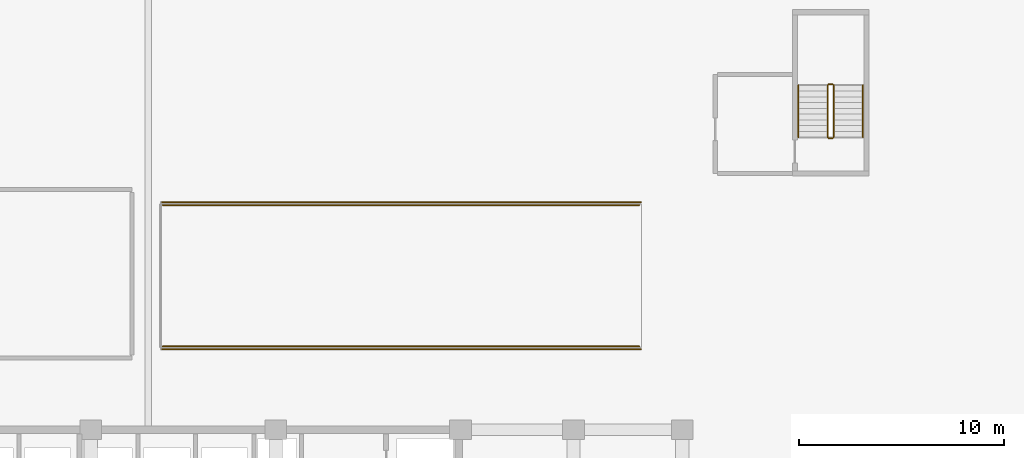
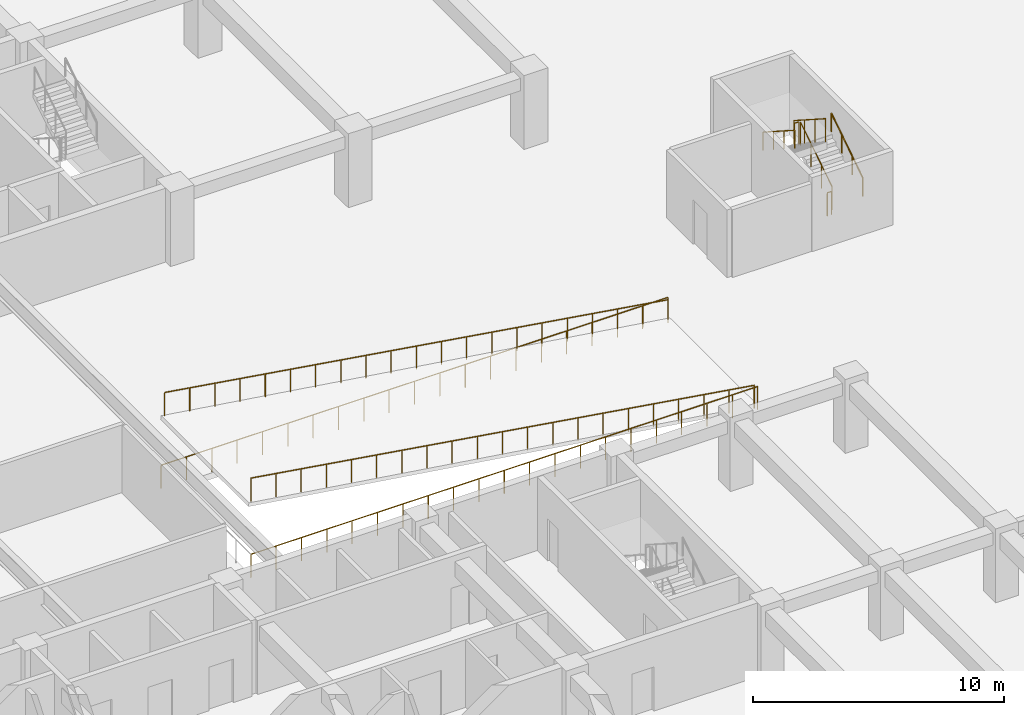
# One storey, part 21 of 22: 10 railings.
"""IFC4 building model written with IfcOpenShell, lengths in metres."""

from ifc_helpers import new_model, si_unit, direction, frame, origin, origin_2d, place, context, subcontext, project, spatial, circle, extrude, material, type_object, element, save


model = new_model("IFC4")

# Units and contexts
model_context = context("Model", 3, precision=1e-05, world=origin(), true_north=direction((0.0, 1.0)))
body_context = subcontext(model_context, "Body", "Model", "MODEL_VIEW")
ifc_project = project(units=[si_unit("LENGTHUNIT", "METRE"), si_unit("AREAUNIT", "SQUARE_METRE"), si_unit("VOLUMEUNIT", "CUBIC_METRE"), si_unit("PLANEANGLEUNIT", "RADIAN"), si_unit("MASSUNIT", "GRAM", prefix="KILO")], contexts=[model_context])

# Site, building, storey
site_placement = place(None, origin())
site = spatial("IfcSite", under=ifc_project, at=site_placement, CompositionType="ELEMENT")
building_placement = place(site_placement, origin())
building = spatial("IfcBuilding", under=site, at=building_placement, Name="Korimba Cascade Residences", CompositionType="ELEMENT")
storey_placement = place(building_placement, frame((0.0, 0.0, -7.199951171875)))
storey = spatial("IfcBuildingStorey", under=building, at=storey_placement, Name="B02", CompositionType="ELEMENT", Elevation=-7.199951171875)

# Railings
ifc_material_1 = material(Name="Painted Steel Stairwell Guardrail", Category="steel")
railing_type_1 = type_object("IfcRailingType", Name="RLG-ST-GD1150", PredefinedType="GUARDRAIL", material=ifc_material_1)
railing_1_placement = place(storey_placement, frame((136.27001953125, 44.64990234375, 0.179931640625)))
element("IfcRailing", 1, at=railing_1_placement, inside=storey, type_object=railing_type_1, Name="B02 ST-P2 stair guard 1", PredefinedType="GUARDRAIL", context=body_context, shape_type="SweptSolid", body=[
    extrude(circle(Radius=0.02392578125, at=origin_2d()), frame((0.0, 0.0, 1.1259765625), z_axis=(0.0, 0.841162588446, 0.540782303519), x_axis=(-1.0, 0.0, 0.0)), (0.0, 0.0, 1.0), 2.995849609375),
    extrude(circle(Radius=0.02099609375, at=origin_2d()), origin(), (0.0, 0.0, 1.0), 1.101806640625),
    extrude(circle(Radius=0.02099609375, at=origin_2d()), frame((0.0, 0.840087890625, 0.5400390625)), (0.0, 0.0, 1.0), 1.101806640625),
    extrude(circle(Radius=0.02099609375, at=origin_2d()), frame((0.0, 1.679931640625, 1.080078125)), (0.0, 0.0, 1.0), 1.101806640625),
    extrude(circle(Radius=0.02099609375, at=origin_2d()), frame((0.0, 2.52001953125, 1.6201171875)), (0.0, 0.0, 1.0), 1.101806640625),
])
railing_2_placement = place(storey_placement, frame((136.219970703125, 47.219970703125, 1.800048828125)))
element("IfcRailing", 2, at=railing_2_placement, inside=storey, type_object=railing_type_1, Name="B02 ST-P2 stair guard 2", PredefinedType="GUARDRAIL", context=body_context, shape_type="SweptSolid", body=[
    extrude(circle(Radius=0.02392578125, at=origin_2d()), frame((0.0, 0.0, 1.1259765625), z_axis=(-1.0, 0.0, 0.0), x_axis=(0.0, -1.0, 0.0)), (0.0, 0.0, 1.0), 0.199951171875),
    extrude(circle(Radius=0.02099609375, at=origin_2d()), origin(), (0.0, 0.0, 1.0), 1.101806640625),
    extrude(circle(Radius=0.02099609375, at=origin_2d()), frame((-0.199951171875, 0.0, 0.0)), (0.0, 0.0, 1.0), 1.101806640625),
])
railing_3_placement = place(storey_placement, frame((135.969970703125, 47.169921875, 1.97998046875)))
element("IfcRailing", 3, at=railing_3_placement, inside=storey, type_object=railing_type_1, Name="B02 ST-P2 stair guard 3", PredefinedType="GUARDRAIL", context=body_context, shape_type="SweptSolid", body=[
    extrude(circle(Radius=0.02392578125, at=origin_2d()), frame((0.0, 0.0, 1.1259765625), z_axis=(0.0, -0.841199657755, 0.540724639528), x_axis=(1.0, 0.0, 0.0)), (0.0, 0.0, 1.0), 2.995849609375),
    extrude(circle(Radius=0.02099609375, at=origin_2d()), origin(), (0.0, 0.0, 1.0), 1.101806640625),
    extrude(circle(Radius=0.02099609375, at=origin_2d()), frame((0.0, -0.840087890625, 0.5400390625)), (0.0, 0.0, 1.0), 1.101806640625),
    extrude(circle(Radius=0.02099609375, at=origin_2d()), frame((0.0, -1.679931640625, 1.079833984375)), (0.0, 0.0, 1.0), 1.101806640625),
    extrude(circle(Radius=0.02099609375, at=origin_2d()), frame((0.0, -2.52001953125, 1.619873046875)), (0.0, 0.0, 1.0), 1.101806640625),
])
railing_4_placement = place(storey_placement, frame((136.219970703125, 44.60009765625, 0.0)))
element("IfcRailing", 4, at=railing_4_placement, inside=storey, type_object=railing_type_1, Name="B02 ST-P2 stair guard 4", PredefinedType="GUARDRAIL", context=body_context, shape_type="SweptSolid", body=[
    extrude(circle(Radius=0.02392578125, at=origin_2d()), frame((0.0, 0.0, 1.1259765625), z_axis=(-1.0, 0.0, 0.0), x_axis=(0.0, -1.0, 0.0)), (0.0, 0.0, 1.0), 0.199951171875),
    extrude(circle(Radius=0.02099609375, at=origin_2d()), origin(), (0.0, 0.0, 1.0), 1.101806640625),
    extrude(circle(Radius=0.02099609375, at=origin_2d()), frame((-0.199951171875, 0.0, 0.0)), (0.0, 0.0, 1.0), 1.101806640625),
])
ifc_material_2 = material(Name="Brushed Stainless Steel Handrail", Category="steel")
railing_type_2 = type_object("IfcRailingType", Name="RLG-ST-HR900", PredefinedType="HANDRAIL", material=ifc_material_2)
railing_5_placement = place(storey_placement, frame((137.68994140625, 44.64990234375, 0.36376953125)))
element("IfcRailing", 5, at=railing_5_placement, inside=storey, type_object=railing_type_2, Name="B02 ST-P2 stair handrail 1", PredefinedType="HANDRAIL", context=body_context, shape_type="SweptSolid", body=[
    extrude(circle(Radius=0.02392578125, at=origin_2d()), frame((0.0, 0.0, 0.8759765625), z_axis=(0.0, 0.841199657755, 0.540724639528), x_axis=(-1.0, 0.0, 0.0)), (0.0, 0.0, 1.0), 2.995849609375),
    extrude(circle(Radius=0.02099609375, at=origin_2d()), origin(), (0.0, 0.0, 1.0), 0.851806640625),
    extrude(circle(Radius=0.02099609375, at=origin_2d()), frame((0.0, 0.840087890625, 0.5400390625)), (0.0, 0.0, 1.0), 0.851806640625),
    extrude(circle(Radius=0.02099609375, at=origin_2d()), frame((0.0, 1.679931640625, 1.079833984375)), (0.0, 0.0, 1.0), 0.851806640625),
    extrude(circle(Radius=0.02099609375, at=origin_2d()), frame((0.0, 2.52001953125, 1.619873046875)), (0.0, 0.0, 1.0), 0.851806640625),
])
railing_6_placement = place(storey_placement, frame((134.550048828125, 47.169921875, 2.163818359375)))
element("IfcRailing", 6, at=railing_6_placement, inside=storey, type_object=railing_type_2, Name="B02 ST-P2 stair handrail 2", PredefinedType="HANDRAIL", context=body_context, shape_type="SweptSolid", body=[
    extrude(circle(Radius=0.02392578125, at=origin_2d()), frame((0.0, 0.0, 0.8759765625), z_axis=(0.0, -0.841199657755, 0.540724639528), x_axis=(1.0, 0.0, 0.0)), (0.0, 0.0, 1.0), 2.995849609375),
    extrude(circle(Radius=0.02099609375, at=origin_2d()), origin(), (0.0, 0.0, 1.0), 0.851806640625),
    extrude(circle(Radius=0.02099609375, at=origin_2d()), frame((0.0, -0.840087890625, 0.5400390625)), (0.0, 0.0, 1.0), 0.851806640625),
    extrude(circle(Radius=0.02099609375, at=origin_2d()), frame((0.0, -1.679931640625, 1.079833984375)), (0.0, 0.0, 1.0), 0.851806640625),
    extrude(circle(Radius=0.02099609375, at=origin_2d()), frame((0.0, -2.52001953125, 1.619873046875)), (0.0, 0.0, 1.0), 0.851806640625),
])
ifc_material_3 = material(Name="Painted Galvanised Steel Terrace Guardrail", Category="steel")
railing_type_3 = type_object("IfcRailingType", Name="RLG-TER-1150", PredefinedType="GUARDRAIL", material=ifc_material_3)
railing_7_placement = place(storey_placement, frame((103.52001953125, 34.320068359375, 0.0)))
element("IfcRailing", 7, at=railing_7_placement, inside=storey, type_object=railing_type_3, Name="B02 Ramp Well South Guardrail", PredefinedType="GUARDRAIL", context=body_context, shape_type="SweptSolid", body=[
    extrude(circle(Radius=0.02392578125, at=origin_2d()), frame((0.0, 0.0, 1.1259765625), z_axis=(1.0, 0.0, 0.0), x_axis=(0.0, 1.0, 0.0)), (0.0, 0.0, 1.0), 23.35986328125),
    extrude(circle(Radius=0.02099609375, at=origin_2d()), origin(), (0.0, 0.0, 1.0), 1.101806640625),
    extrude(circle(Radius=0.02099609375, at=origin_2d()), frame((1.16796875, 0.0, 0.0)), (0.0, 0.0, 1.0), 1.101806640625),
    extrude(circle(Radius=0.02099609375, at=origin_2d()), frame((2.3359375, 0.0, 0.0)), (0.0, 0.0, 1.0), 1.101806640625),
    extrude(circle(Radius=0.02099609375, at=origin_2d()), frame((3.50390625, 0.0, 0.0)), (0.0, 0.0, 1.0), 1.101806640625),
    extrude(circle(Radius=0.02099609375, at=origin_2d()), frame((4.671875, 0.0, 0.0)), (0.0, 0.0, 1.0), 1.101806640625),
    extrude(circle(Radius=0.02099609375, at=origin_2d()), frame((5.83984375, 0.0, 0.0)), (0.0, 0.0, 1.0), 1.101806640625),
    extrude(circle(Radius=0.02099609375, at=origin_2d()), frame((7.008056640625, 0.0, 0.0)), (0.0, 0.0, 1.0), 1.101806640625),
    extrude(circle(Radius=0.02099609375, at=origin_2d()), frame((8.176025390625, 0.0, 0.0)), (0.0, 0.0, 1.0), 1.101806640625),
    extrude(circle(Radius=0.02099609375, at=origin_2d()), frame((9.343994140625, 0.0, 0.0)), (0.0, 0.0, 1.0), 1.101806640625),
    extrude(circle(Radius=0.02099609375, at=origin_2d()), frame((10.511962890625, 0.0, 0.0)), (0.0, 0.0, 1.0), 1.101806640625),
    extrude(circle(Radius=0.02099609375, at=origin_2d()), frame((11.679931640625, 0.0, 0.0)), (0.0, 0.0, 1.0), 1.101806640625),
    extrude(circle(Radius=0.02099609375, at=origin_2d()), frame((12.847900390625, 0.0, 0.0)), (0.0, 0.0, 1.0), 1.101806640625),
    extrude(circle(Radius=0.02099609375, at=origin_2d()), frame((14.015869140625, 0.0, 0.0)), (0.0, 0.0, 1.0), 1.101806640625),
    extrude(circle(Radius=0.02099609375, at=origin_2d()), frame((15.183837890625, 0.0, 0.0)), (0.0, 0.0, 1.0), 1.101806640625),
    extrude(circle(Radius=0.02099609375, at=origin_2d()), frame((16.351806640625, 0.0, 0.0)), (0.0, 0.0, 1.0), 1.101806640625),
    extrude(circle(Radius=0.02099609375, at=origin_2d()), frame((17.52001953125, 0.0, 0.0)), (0.0, 0.0, 1.0), 1.101806640625),
    extrude(circle(Radius=0.02099609375, at=origin_2d()), frame((18.68798828125, 0.0, 0.0)), (0.0, 0.0, 1.0), 1.101806640625),
    extrude(circle(Radius=0.02099609375, at=origin_2d()), frame((19.85595703125, 0.0, 0.0)), (0.0, 0.0, 1.0), 1.101806640625),
    extrude(circle(Radius=0.02099609375, at=origin_2d()), frame((21.02392578125, 0.0, 0.0)), (0.0, 0.0, 1.0), 1.101806640625),
    extrude(circle(Radius=0.02099609375, at=origin_2d()), frame((22.19189453125, 0.0, 0.0)), (0.0, 0.0, 1.0), 1.101806640625),
    extrude(circle(Radius=0.02099609375, at=origin_2d()), frame((23.35986328125, 0.0, 0.0)), (0.0, 0.0, 1.0), 1.101806640625),
])
railing_8_placement = place(storey_placement, frame((103.52001953125, 41.47998046875, 0.0)))
element("IfcRailing", 8, at=railing_8_placement, inside=storey, type_object=railing_type_3, Name="B02 Ramp Well North Guardrail", PredefinedType="GUARDRAIL", context=body_context, shape_type="SweptSolid", body=[
    extrude(circle(Radius=0.02392578125, at=origin_2d()), frame((0.0, 0.0, 1.1259765625), z_axis=(1.0, 0.0, 0.0), x_axis=(0.0, 1.0, 0.0)), (0.0, 0.0, 1.0), 23.35986328125),
    extrude(circle(Radius=0.02099609375, at=origin_2d()), origin(), (0.0, 0.0, 1.0), 1.101806640625),
    extrude(circle(Radius=0.02099609375, at=origin_2d()), frame((1.16796875, 0.0, 0.0)), (0.0, 0.0, 1.0), 1.101806640625),
    extrude(circle(Radius=0.02099609375, at=origin_2d()), frame((2.3359375, 0.0, 0.0)), (0.0, 0.0, 1.0), 1.101806640625),
    extrude(circle(Radius=0.02099609375, at=origin_2d()), frame((3.50390625, 0.0, 0.0)), (0.0, 0.0, 1.0), 1.101806640625),
    extrude(circle(Radius=0.02099609375, at=origin_2d()), frame((4.671875, 0.0, 0.0)), (0.0, 0.0, 1.0), 1.101806640625),
    extrude(circle(Radius=0.02099609375, at=origin_2d()), frame((5.83984375, 0.0, 0.0)), (0.0, 0.0, 1.0), 1.101806640625),
    extrude(circle(Radius=0.02099609375, at=origin_2d()), frame((7.008056640625, 0.0, 0.0)), (0.0, 0.0, 1.0), 1.101806640625),
    extrude(circle(Radius=0.02099609375, at=origin_2d()), frame((8.176025390625, 0.0, 0.0)), (0.0, 0.0, 1.0), 1.101806640625),
    extrude(circle(Radius=0.02099609375, at=origin_2d()), frame((9.343994140625, 0.0, 0.0)), (0.0, 0.0, 1.0), 1.101806640625),
    extrude(circle(Radius=0.02099609375, at=origin_2d()), frame((10.511962890625, 0.0, 0.0)), (0.0, 0.0, 1.0), 1.101806640625),
    extrude(circle(Radius=0.02099609375, at=origin_2d()), frame((11.679931640625, 0.0, 0.0)), (0.0, 0.0, 1.0), 1.101806640625),
    extrude(circle(Radius=0.02099609375, at=origin_2d()), frame((12.847900390625, 0.0, 0.0)), (0.0, 0.0, 1.0), 1.101806640625),
    extrude(circle(Radius=0.02099609375, at=origin_2d()), frame((14.015869140625, 0.0, 0.0)), (0.0, 0.0, 1.0), 1.101806640625),
    extrude(circle(Radius=0.02099609375, at=origin_2d()), frame((15.183837890625, 0.0, 0.0)), (0.0, 0.0, 1.0), 1.101806640625),
    extrude(circle(Radius=0.02099609375, at=origin_2d()), frame((16.351806640625, 0.0, 0.0)), (0.0, 0.0, 1.0), 1.101806640625),
    extrude(circle(Radius=0.02099609375, at=origin_2d()), frame((17.52001953125, 0.0, 0.0)), (0.0, 0.0, 1.0), 1.101806640625),
    extrude(circle(Radius=0.02099609375, at=origin_2d()), frame((18.68798828125, 0.0, 0.0)), (0.0, 0.0, 1.0), 1.101806640625),
    extrude(circle(Radius=0.02099609375, at=origin_2d()), frame((19.85595703125, 0.0, 0.0)), (0.0, 0.0, 1.0), 1.101806640625),
    extrude(circle(Radius=0.02099609375, at=origin_2d()), frame((21.02392578125, 0.0, 0.0)), (0.0, 0.0, 1.0), 1.101806640625),
    extrude(circle(Radius=0.02099609375, at=origin_2d()), frame((22.19189453125, 0.0, 0.0)), (0.0, 0.0, 1.0), 1.101806640625),
    extrude(circle(Radius=0.02099609375, at=origin_2d()), frame((23.35986328125, 0.0, 0.0)), (0.0, 0.0, 1.0), 1.101806640625),
])
railing_9_placement = place(storey_placement, frame((103.60009765625, 34.4599609375, 3.599853515625)))
element("IfcRailing", 9, at=railing_9_placement, inside=storey, type_object=railing_type_3, Name="B02 Vehicle Ramp S Guardrail", PredefinedType="GUARDRAIL", context=body_context, shape_type="SweptSolid", body=[
    extrude(circle(Radius=0.02392578125, at=origin_2d()), frame((0.0, 0.0, 1.1259765625), z_axis=(0.98817479985, 0.0, -0.153331552336), x_axis=(0.0, 1.0, 0.0)), (0.0, 0.0, 1.0), 23.4775390625),
    extrude(circle(Radius=0.02099609375, at=origin_2d()), origin(), (0.0, 0.0, 1.0), 1.101806640625),
    extrude(circle(Radius=0.02099609375, at=origin_2d()), frame((1.159912109375, 0.0, -0.179931640625)), (0.0, 0.0, 1.0), 1.101806640625),
    extrude(circle(Radius=0.02099609375, at=origin_2d()), frame((2.320068359375, 0.0, -0.35986328125)), (0.0, 0.0, 1.0), 1.101806640625),
    extrude(circle(Radius=0.02099609375, at=origin_2d()), frame((3.47998046875, 0.0, -0.5400390625)), (0.0, 0.0, 1.0), 1.101806640625),
    extrude(circle(Radius=0.02099609375, at=origin_2d()), frame((4.639892578125, 0.0, -0.719970703125)), (0.0, 0.0, 1.0), 1.101806640625),
    extrude(circle(Radius=0.02099609375, at=origin_2d()), frame((5.800048828125, 0.0, -0.89990234375)), (0.0, 0.0, 1.0), 1.101806640625),
    extrude(circle(Radius=0.02099609375, at=origin_2d()), frame((6.9599609375, 0.0, -1.080078125)), (0.0, 0.0, 1.0), 1.101806640625),
    extrude(circle(Radius=0.02099609375, at=origin_2d()), frame((8.119873046875, 0.0, -1.260009765625)), (0.0, 0.0, 1.0), 1.101806640625),
    extrude(circle(Radius=0.02099609375, at=origin_2d()), frame((9.280029296875, 0.0, -1.43994140625)), (0.0, 0.0, 1.0), 1.101806640625),
    extrude(circle(Radius=0.02099609375, at=origin_2d()), frame((10.43994140625, 0.0, -1.619873046875)), (0.0, 0.0, 1.0), 1.101806640625),
    extrude(circle(Radius=0.02099609375, at=origin_2d()), frame((11.60009765625, 0.0, -1.7998046875)), (0.0, 0.0, 1.0), 1.101806640625),
    extrude(circle(Radius=0.02099609375, at=origin_2d()), frame((12.760009765625, 0.0, -1.97998046875)), (0.0, 0.0, 1.0), 1.101806640625),
    extrude(circle(Radius=0.02099609375, at=origin_2d()), frame((13.919921875, 0.0, -2.159912109375)), (0.0, 0.0, 1.0), 1.101806640625),
    extrude(circle(Radius=0.02099609375, at=origin_2d()), frame((15.080078125, 0.0, -2.33984375)), (0.0, 0.0, 1.0), 1.101806640625),
    extrude(circle(Radius=0.02099609375, at=origin_2d()), frame((16.239990234375, 0.0, -2.52001953125)), (0.0, 0.0, 1.0), 1.101806640625),
    extrude(circle(Radius=0.02099609375, at=origin_2d()), frame((17.39990234375, 0.0, -2.699951171875)), (0.0, 0.0, 1.0), 1.101806640625),
    extrude(circle(Radius=0.02099609375, at=origin_2d()), frame((18.56005859375, 0.0, -2.8798828125)), (0.0, 0.0, 1.0), 1.101806640625),
    extrude(circle(Radius=0.02099609375, at=origin_2d()), frame((19.719970703125, 0.0, -3.059814453125)), (0.0, 0.0, 1.0), 1.101806640625),
    extrude(circle(Radius=0.02099609375, at=origin_2d()), frame((20.8798828125, 0.0, -3.23974609375)), (0.0, 0.0, 1.0), 1.101806640625),
    extrude(circle(Radius=0.02099609375, at=origin_2d()), frame((22.0400390625, 0.0, -3.419921875)), (0.0, 0.0, 1.0), 1.101806640625),
    extrude(circle(Radius=0.02099609375, at=origin_2d()), frame((23.199951171875, 0.0, -3.599853515625)), (0.0, 0.0, 1.0), 1.101806640625),
])
railing_10_placement = place(storey_placement, frame((103.60009765625, 41.340087890625, 3.599853515625)))
element("IfcRailing", 10, at=railing_10_placement, inside=storey, type_object=railing_type_3, Name="B02 Vehicle Ramp N Guardrail", PredefinedType="GUARDRAIL", context=body_context, shape_type="SweptSolid", body=[
    extrude(circle(Radius=0.02392578125, at=origin_2d()), frame((0.0, 0.0, 1.1259765625), z_axis=(0.98817479985, 0.0, -0.153331552336), x_axis=(0.0, 1.0, 0.0)), (0.0, 0.0, 1.0), 23.4775390625),
    extrude(circle(Radius=0.02099609375, at=origin_2d()), origin(), (0.0, 0.0, 1.0), 1.101806640625),
    extrude(circle(Radius=0.02099609375, at=origin_2d()), frame((1.159912109375, 0.0, -0.179931640625)), (0.0, 0.0, 1.0), 1.101806640625),
    extrude(circle(Radius=0.02099609375, at=origin_2d()), frame((2.320068359375, 0.0, -0.35986328125)), (0.0, 0.0, 1.0), 1.101806640625),
    extrude(circle(Radius=0.02099609375, at=origin_2d()), frame((3.47998046875, 0.0, -0.5400390625)), (0.0, 0.0, 1.0), 1.101806640625),
    extrude(circle(Radius=0.02099609375, at=origin_2d()), frame((4.639892578125, 0.0, -0.719970703125)), (0.0, 0.0, 1.0), 1.101806640625),
    extrude(circle(Radius=0.02099609375, at=origin_2d()), frame((5.800048828125, 0.0, -0.89990234375)), (0.0, 0.0, 1.0), 1.101806640625),
    extrude(circle(Radius=0.02099609375, at=origin_2d()), frame((6.9599609375, 0.0, -1.080078125)), (0.0, 0.0, 1.0), 1.101806640625),
    extrude(circle(Radius=0.02099609375, at=origin_2d()), frame((8.119873046875, 0.0, -1.260009765625)), (0.0, 0.0, 1.0), 1.101806640625),
    extrude(circle(Radius=0.02099609375, at=origin_2d()), frame((9.280029296875, 0.0, -1.43994140625)), (0.0, 0.0, 1.0), 1.101806640625),
    extrude(circle(Radius=0.02099609375, at=origin_2d()), frame((10.43994140625, 0.0, -1.619873046875)), (0.0, 0.0, 1.0), 1.101806640625),
    extrude(circle(Radius=0.02099609375, at=origin_2d()), frame((11.60009765625, 0.0, -1.7998046875)), (0.0, 0.0, 1.0), 1.101806640625),
    extrude(circle(Radius=0.02099609375, at=origin_2d()), frame((12.760009765625, 0.0, -1.97998046875)), (0.0, 0.0, 1.0), 1.101806640625),
    extrude(circle(Radius=0.02099609375, at=origin_2d()), frame((13.919921875, 0.0, -2.159912109375)), (0.0, 0.0, 1.0), 1.101806640625),
    extrude(circle(Radius=0.02099609375, at=origin_2d()), frame((15.080078125, 0.0, -2.33984375)), (0.0, 0.0, 1.0), 1.101806640625),
    extrude(circle(Radius=0.02099609375, at=origin_2d()), frame((16.239990234375, 0.0, -2.52001953125)), (0.0, 0.0, 1.0), 1.101806640625),
    extrude(circle(Radius=0.02099609375, at=origin_2d()), frame((17.39990234375, 0.0, -2.699951171875)), (0.0, 0.0, 1.0), 1.101806640625),
    extrude(circle(Radius=0.02099609375, at=origin_2d()), frame((18.56005859375, 0.0, -2.8798828125)), (0.0, 0.0, 1.0), 1.101806640625),
    extrude(circle(Radius=0.02099609375, at=origin_2d()), frame((19.719970703125, 0.0, -3.059814453125)), (0.0, 0.0, 1.0), 1.101806640625),
    extrude(circle(Radius=0.02099609375, at=origin_2d()), frame((20.8798828125, 0.0, -3.23974609375)), (0.0, 0.0, 1.0), 1.101806640625),
    extrude(circle(Radius=0.02099609375, at=origin_2d()), frame((22.0400390625, 0.0, -3.419921875)), (0.0, 0.0, 1.0), 1.101806640625),
    extrude(circle(Radius=0.02099609375, at=origin_2d()), frame((23.199951171875, 0.0, -3.599853515625)), (0.0, 0.0, 1.0), 1.101806640625),
])

save(model, "model.ifc")
